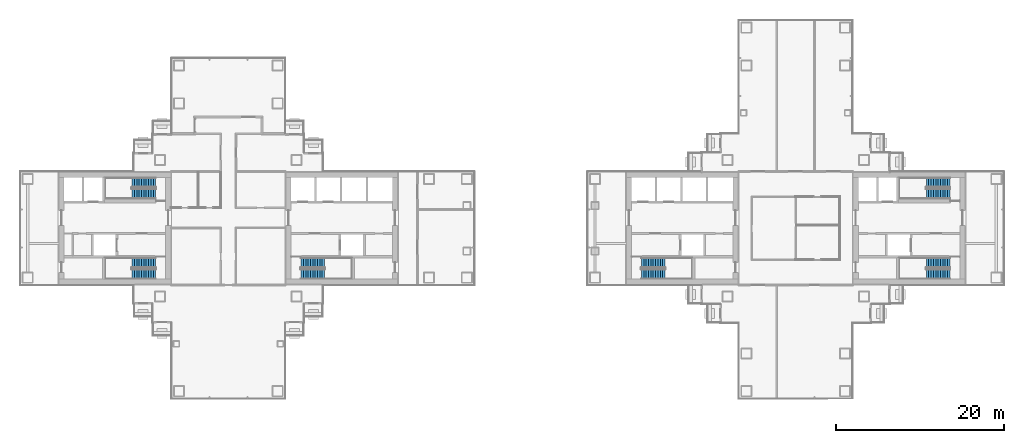
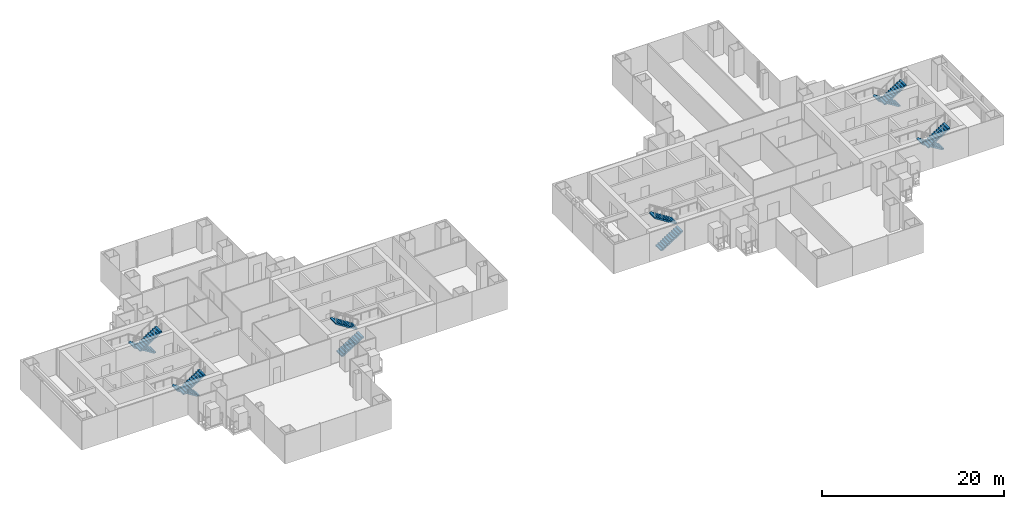
# One storey, part 17 of 20: 12 stair flights, 6 elements without a shape of their own.
"""IFC4 building model written with IfcOpenShell, lengths in metres."""

import ifcopenshell
import ifcopenshell.guid

model = None  # the IFC model being written
_history = None  # IfcOwnerHistory: only IFC2X3 demands one
_inside = {}  # id of a spatial element -> (the spatial element, [elements in it])
_under = {}  # id of a project, library or spatial element -> (it, [spatial elements below it])
_declared = {}  # id of a project -> (the project, [libraries it declares])
_typed = {}  # id of a type object -> (the type object, [elements of that type])
_made_of = {}  # id of a material, layer set ... -> (it, [elements and type objects made of it])


def new_model(schema):
    """Start an empty IFC model of exactly this schema.

    Asked for "IFC4X3", IfcOpenShell would pick the latest addendum, in which some entities
    have other attributes; the version numbers below select the first issue.
    IFC2X3 requires an IfcOwnerHistory on every rooted entity: one is made here for all.
    """
    global model, _history
    if schema == "IFC4X3":
        model = ifcopenshell.file(schema_version=(4, 3, 0, 0))
    else:
        model = ifcopenshell.file(schema=schema)
    _inside.clear()
    _under.clear()
    _declared.clear()
    _typed.clear()
    _made_of.clear()
    _history = None
    if model.schema == "IFC2X3":
        org = make("IfcOrganization", Name="unknown")
        user = make(
            "IfcPersonAndOrganization",
            ThePerson=make("IfcPerson", FamilyName="unknown"),
            TheOrganization=org,
        )
        app = make(
            "IfcApplication",
            ApplicationDeveloper=org,
            Version="unknown",
            ApplicationFullName="unknown",
            ApplicationIdentifier="unknown",
        )
        _history = make(
            "IfcOwnerHistory",
            OwningUser=user,
            OwningApplication=app,
            ChangeAction="ADDED",
            CreationDate=0,
        )
    return model


def make(cls, **values):
    """One entity of the class cls with the attributes given. An attribute that is None is left unset."""
    return model.create_entity(
        cls, **{name: value for name, value in values.items() if value is not None}
    )


def rooted(cls, **values):
    """An entity with a GlobalId (a new one), such as an element, a storey or a relation."""
    return make(cls, GlobalId=ifcopenshell.guid.new(), OwnerHistory=_history, **values)


def si_unit(unit_type, name, prefix=None):
    """IfcSIUnit, for example si_unit("LENGTHUNIT", "METRE", prefix="MILLI")."""
    return make("IfcSIUnit", UnitType=unit_type, Prefix=prefix, Name=name)


def assignment(units):
    """IfcUnitAssignment: the units of a project."""
    return None if units is None else make("IfcUnitAssignment", Units=units)


def point(xyz):
    """IfcCartesianPoint."""
    return None if xyz is None else make("IfcCartesianPoint", Coordinates=xyz)


def direction(xyz):
    """IfcDirection."""
    return None if xyz is None else make("IfcDirection", DirectionRatios=xyz)


def frame(location, z_axis=None, x_axis=None):
    """IfcAxis2Placement3D, a coordinate frame: its origin and axes. An axis left out is left unset."""
    return make(
        "IfcAxis2Placement3D",
        Location=point(location),
        Axis=direction(z_axis),
        RefDirection=direction(x_axis),
    )


def origin():
    """The frame at (0, 0, 0) with its axes left unset."""
    return frame((0.0, 0.0, 0.0))


def place(relative_to, where):
    """IfcLocalPlacement: puts the frame where relative to a parent placement (None: the world)."""
    return make(
        "IfcLocalPlacement", PlacementRelTo=relative_to, RelativePlacement=where
    )


def context(
    kind, dimensions, precision=None, world=None, true_north=None, identifier=None
):
    """IfcGeometricRepresentationContext, for example the 3D "Model" context."""
    return make(
        "IfcGeometricRepresentationContext",
        ContextIdentifier=identifier,
        ContextType=kind,
        CoordinateSpaceDimension=dimensions,
        Precision=precision,
        WorldCoordinateSystem=world,
        TrueNorth=true_north,
    )


def subcontext(parent, identifier, kind, view, scale=None):
    """IfcGeometricRepresentationSubContext, for example "Body" below "Model"."""
    return make(
        "IfcGeometricRepresentationSubContext",
        ContextIdentifier=identifier,
        ContextType=kind,
        ParentContext=parent,
        TargetScale=scale,
        TargetView=view,
    )


def project(units=None, contexts=None):
    """IfcProject with its units and contexts."""
    return rooted(
        "IfcProject",
        Name="project",
        RepresentationContexts=contexts,
        UnitsInContext=assignment(units),
    )


def spatial(cls, under=None, at=None, **own):
    """A site, building, storey or space (cls), placed at a placement, below another one or the project."""
    s = rooted(cls, ObjectPlacement=at, **own)
    if under is not None:
        _under.setdefault(under.id(), (under, []))[1].append(s)
    return s


def polyline(points):
    """IfcPolyline through the points."""
    return make("IfcPolyline", Points=[point(p) for p in points])


def outline(outer, holes=None, kind="AREA"):
    """IfcArbitraryClosedProfileDef: a profile drawn as a closed curve; with holes, ...WithVoids."""
    if holes is None:
        return make("IfcArbitraryClosedProfileDef", ProfileType=kind, OuterCurve=outer)
    return make(
        "IfcArbitraryProfileDefWithVoids",
        ProfileType=kind,
        OuterCurve=outer,
        InnerCurves=holes,
    )


def extrude(swept, where, along, depth):
    """IfcExtrudedAreaSolid: the profile swept, set in the frame where, extruded along a direction by depth."""
    return make(
        "IfcExtrudedAreaSolid",
        SweptArea=swept,
        Position=where,
        ExtrudedDirection=direction(along),
        Depth=depth,
    )


def shape(context_of_items, identifier, shape_type, items):
    """IfcShapeRepresentation: the items that make up one representation, for example the "Body"."""
    return make(
        "IfcShapeRepresentation",
        ContextOfItems=context_of_items,
        RepresentationIdentifier=identifier,
        RepresentationType=shape_type,
        Items=items,
    )


def material(Name=None, Category=None):
    """IfcMaterial."""
    return make("IfcMaterial", Name=Name, Category=Category)


def made_of(thing, what):
    """Note that an element or type object is made of a material, layer set ...; save() writes the relation."""
    if what is not None:
        _made_of.setdefault(what.id(), (what, []))[1].append(thing)
    return thing


def type_object(cls, material=None, **own):
    """A type object (cls), such as IfcWallType, which elements share."""
    return made_of(rooted(cls, **own), material)


def element(
    cls,
    number,
    at=None,
    inside=None,
    cuts=None,
    type_object=None,
    material=None,
    context=None,
    identifier="Body",
    shape_type=None,
    held_by="IfcProductDefinitionShape",
    body=None,
    shapes=None,
    **own,
):
    """One element of the class cls, such as IfcWall. Its Tag is "e" and its number.

    at: its placement. inside: the storey or other place that contains it. cuts: it is an
    opening in that element (IfcRelVoidsElement). A single representation is given by context,
    identifier, shape_type and body (its items); several are given by shapes. held_by: the class
    of the entity that holds the representations. save() writes the other relations.
    """
    e = rooted(cls, Tag="e%d" % number, ObjectPlacement=at, **own)
    if body is not None:
        shapes = [shape(context, identifier, shape_type, body)]
    if shapes is not None:
        e.Representation = make(held_by, Representations=shapes)
    if inside is not None:
        _inside.setdefault(inside.id(), (inside, []))[1].append(e)
    if cuts is not None:
        rooted(
            "IfcRelVoidsElement", RelatingBuildingElement=cuts, RelatedOpeningElement=e
        )
    if type_object is not None:
        _typed.setdefault(type_object.id(), (type_object, []))[1].append(e)
    return made_of(e, material)


def aggregate(whole, parts):
    """IfcRelAggregates: a whole, such as a stair, and the parts it consists of."""
    return rooted("IfcRelAggregates", RelatingObject=whole, RelatedObjects=parts)


def save(model, path):
    """Write the relations noted so far, then the file.

    IfcRelAggregates (storeys below a building ...), IfcRelContainedInSpatialStructure (elements
    in a storey), IfcRelDefinesByType, IfcRelAssociatesMaterial and IfcRelDeclares: one each for
    every whole, place, type object, material and project.
    """
    for whole, parts in _under.values():
        aggregate(whole, parts)
    for where, things in _inside.values():
        rooted(
            "IfcRelContainedInSpatialStructure",
            RelatedElements=things,
            RelatingStructure=where,
        )
    for kind, things in _typed.values():
        rooted("IfcRelDefinesByType", RelatedObjects=things, RelatingType=kind)
    for what, things in _made_of.values():
        rooted("IfcRelAssociatesMaterial", RelatedObjects=things, RelatingMaterial=what)
    for by, libraries in _declared.values():
        rooted("IfcRelDeclares", RelatingContext=by, RelatedDefinitions=libraries)
    model.write(path)


model = new_model("IFC4")

# Units and contexts
model_context = context("Model", 3, precision=1e-05, world=origin(), true_north=direction((0.0, 1.0)))
body_context = subcontext(model_context, "Body", "Model", "MODEL_VIEW")
ifc_project = project(units=[si_unit("LENGTHUNIT", "METRE"), si_unit("AREAUNIT", "SQUARE_METRE"), si_unit("VOLUMEUNIT", "CUBIC_METRE"), si_unit("PLANEANGLEUNIT", "RADIAN"), si_unit("MASSUNIT", "GRAM", prefix="KILO")], contexts=[model_context])

# Site, building, storey
site_placement = place(None, origin())
site = spatial("IfcSite", under=ifc_project, at=site_placement, CompositionType="ELEMENT")
building_placement = place(site_placement, origin())
building = spatial("IfcBuilding", under=site, at=building_placement, Name="Shamsa Quay Exchange Towers", CompositionType="ELEMENT")
storey_placement = place(building_placement, frame((0.0, 0.0, 120.89990234375)))
storey = spatial("IfcBuildingStorey", under=building, at=storey_placement, Name="L28", CompositionType="ELEMENT", Elevation=120.89990234375)

# Stair, stair flights
ifc_material = material(Name="Concrete C40/50", Category="concrete")
stair_type = type_object("IfcStairType", Name="EXIT STAIR 22 RISERS 177 MM", PredefinedType="HALF_TURN_STAIR", material=ifc_material)
stair_1_placement = place(storey_placement, origin())
stair_1 = element("IfcStair", 1, at=stair_1_placement, inside=storey, type_object=stair_type, Name="L28 Exit stair ST1", PredefinedType="HALF_TURN_STAIR")
stair_flight_type = type_object("IfcStairFlightType", Name="EXIT STAIR FLIGHT 11 RISERS 177 MM", PredefinedType="STRAIGHT", material=ifc_material)
stair_flight_1_placement = place(storey_placement, frame((-25.10009765625, -5.449951171875, 0.0)))
stair_flight_1 = element("IfcStairFlight", 2, at=stair_flight_1_placement, type_object=stair_flight_type, Name="ST1 flight 1", NumberOfRisers=11, NumberOfTreads=10, PredefinedType="STRAIGHT", RiserHeight=0.177272727, TreadLength=0.28, context=body_context, shape_type="SweptSolid", body=[
    extrude(outline(polyline([(0.0, 0.0), (0.0, 0.17724609375), (0.280029296875, 0.17724609375), (0.280029296875, 0.3544921875), (0.56005859375, 0.3544921875), (0.56005859375, 0.53173828125), (0.840087890625, 0.53173828125), (0.840087890625, 0.708984375), (1.1201171875, 0.708984375), (1.1201171875, 0.886474609375), (1.39990234375, 0.886474609375), (1.39990234375, 1.063720703125), (1.679931640625, 1.063720703125), (1.679931640625, 1.240966796875), (1.9599609375, 1.240966796875), (1.9599609375, 1.418212890625), (2.239990234375, 1.418212890625), (2.239990234375, 1.595458984375), (2.52001953125, 1.595458984375), (2.52001953125, 1.772705078125), (2.800048828125, 1.772705078125), (2.800048828125, 1.949951171875), (2.800048828125, 1.607177734375), (0.261474609375, 0.0), (0.0, 0.0)])), frame((0.0, 0.60009765625, 0.0), z_axis=(0.0, -1.0, 0.0), x_axis=(1.0, 0.0, 0.0)), (0.0, 0.0, 1.0), 1.199951171875),
])
stair_flight_2_placement = place(storey_placement, frame((-22.300048828125, -4.10009765625, 1.9501953125), z_axis=(0.0, 0.0, 1.0), x_axis=(-1.0, 0.0, 0.0)))
stair_flight_2 = element("IfcStairFlight", 3, at=stair_flight_2_placement, type_object=stair_flight_type, Name="ST1 flight 2", NumberOfRisers=11, NumberOfTreads=10, PredefinedType="STRAIGHT", RiserHeight=0.177272727, TreadLength=0.28, context=body_context, shape_type="SweptSolid", body=[
    extrude(outline(polyline([(0.0, 0.0), (0.0, 0.17724609375), (0.280029296875, 0.17724609375), (0.280029296875, 0.3544921875), (0.56005859375, 0.3544921875), (0.56005859375, 0.53173828125), (0.840087890625, 0.53173828125), (0.840087890625, 0.708984375), (1.1201171875, 0.708984375), (1.1201171875, 0.886474609375), (1.39990234375, 0.886474609375), (1.39990234375, 1.063720703125), (1.679931640625, 1.063720703125), (1.679931640625, 1.240966796875), (1.9599609375, 1.240966796875), (1.9599609375, 1.418212890625), (2.239990234375, 1.418212890625), (2.239990234375, 1.595458984375), (2.52001953125, 1.595458984375), (2.52001953125, 1.772705078125), (2.800048828125, 1.772705078125), (2.800048828125, 1.949951171875), (2.800048828125, 1.607177734375), (0.261474609375, 0.0), (0.0, 0.0)])), frame((0.0, 0.60009765625, 0.0), z_axis=(0.0, -1.0, 0.0), x_axis=(1.0, 0.0, 0.0)), (0.0, 0.0, 1.0), 1.199951171875),
])
aggregate(stair_1, [stair_flight_1, stair_flight_2])

stair_2_placement = place(storey_placement, origin())
stair_2 = element("IfcStair", 4, at=stair_2_placement, inside=storey, type_object=stair_type, Name="L28 Exit stair ST2", PredefinedType="HALF_TURN_STAIR")
stair_flight_3_placement = place(storey_placement, frame((-42.39990234375, -4.10009765625, 0.0), z_axis=(0.0, 0.0, 1.0), x_axis=(-1.0, 0.0, 0.0)))
stair_flight_3 = element("IfcStairFlight", 5, at=stair_flight_3_placement, type_object=stair_flight_type, Name="ST2 flight 1", NumberOfRisers=11, NumberOfTreads=10, PredefinedType="STRAIGHT", RiserHeight=0.177272727, TreadLength=0.28, context=body_context, shape_type="SweptSolid", body=[
    extrude(outline(polyline([(0.0, 0.0), (0.0, 0.17724609375), (0.280029296875, 0.17724609375), (0.280029296875, 0.3544921875), (0.56005859375, 0.3544921875), (0.56005859375, 0.53173828125), (0.840087890625, 0.53173828125), (0.840087890625, 0.708984375), (1.1201171875, 0.708984375), (1.1201171875, 0.886474609375), (1.39990234375, 0.886474609375), (1.39990234375, 1.063720703125), (1.679931640625, 1.063720703125), (1.679931640625, 1.240966796875), (1.9599609375, 1.240966796875), (1.9599609375, 1.418212890625), (2.239990234375, 1.418212890625), (2.239990234375, 1.595458984375), (2.52001953125, 1.595458984375), (2.52001953125, 1.772705078125), (2.800048828125, 1.772705078125), (2.800048828125, 1.949951171875), (2.800048828125, 1.607177734375), (0.261474609375, 0.0), (0.0, 0.0)])), frame((0.0, 0.60009765625, 0.0), z_axis=(0.0, -1.0, 0.0), x_axis=(1.0, 0.0, 0.0)), (0.0, 0.0, 1.0), 1.199951171875),
])
stair_flight_4_placement = place(storey_placement, frame((-45.199951171875, -5.449951171875, 1.9501953125)))
stair_flight_4 = element("IfcStairFlight", 6, at=stair_flight_4_placement, type_object=stair_flight_type, Name="ST2 flight 2", NumberOfRisers=11, NumberOfTreads=10, PredefinedType="STRAIGHT", RiserHeight=0.177272727, TreadLength=0.28, context=body_context, shape_type="SweptSolid", body=[
    extrude(outline(polyline([(0.0, 0.0), (0.0, 0.17724609375), (0.280029296875, 0.17724609375), (0.280029296875, 0.3544921875), (0.56005859375, 0.3544921875), (0.56005859375, 0.53173828125), (0.840087890625, 0.53173828125), (0.840087890625, 0.708984375), (1.1201171875, 0.708984375), (1.1201171875, 0.886474609375), (1.39990234375, 0.886474609375), (1.39990234375, 1.063720703125), (1.679931640625, 1.063720703125), (1.679931640625, 1.240966796875), (1.9599609375, 1.240966796875), (1.9599609375, 1.418212890625), (2.239990234375, 1.418212890625), (2.239990234375, 1.595458984375), (2.52001953125, 1.595458984375), (2.52001953125, 1.772705078125), (2.800048828125, 1.772705078125), (2.800048828125, 1.949951171875), (2.800048828125, 1.607177734375), (0.261474609375, 0.0), (0.0, 0.0)])), frame((0.0, 0.60009765625, 0.0), z_axis=(0.0, -1.0, 0.0), x_axis=(1.0, 0.0, 0.0)), (0.0, 0.0, 1.0), 1.199951171875),
])
aggregate(stair_2, [stair_flight_3, stair_flight_4])

stair_3_placement = place(storey_placement, origin())
stair_3 = element("IfcStair", 7, at=stair_3_placement, inside=storey, type_object=stair_type, Name="L28 Exit stair ST3", PredefinedType="HALF_TURN_STAIR")
stair_flight_5_placement = place(storey_placement, frame((-42.39990234375, 5.449951171875, 0.0), z_axis=(0.0, 0.0, 1.0), x_axis=(-1.0, 0.0, 0.0)))
stair_flight_5 = element("IfcStairFlight", 8, at=stair_flight_5_placement, type_object=stair_flight_type, Name="ST3 flight 1", NumberOfRisers=11, NumberOfTreads=10, PredefinedType="STRAIGHT", RiserHeight=0.177272727, TreadLength=0.28, context=body_context, shape_type="SweptSolid", body=[
    extrude(outline(polyline([(0.0, 0.0), (0.0, 0.17724609375), (0.280029296875, 0.17724609375), (0.280029296875, 0.3544921875), (0.56005859375, 0.3544921875), (0.56005859375, 0.53173828125), (0.840087890625, 0.53173828125), (0.840087890625, 0.708984375), (1.1201171875, 0.708984375), (1.1201171875, 0.886474609375), (1.39990234375, 0.886474609375), (1.39990234375, 1.063720703125), (1.679931640625, 1.063720703125), (1.679931640625, 1.240966796875), (1.9599609375, 1.240966796875), (1.9599609375, 1.418212890625), (2.239990234375, 1.418212890625), (2.239990234375, 1.595458984375), (2.52001953125, 1.595458984375), (2.52001953125, 1.772705078125), (2.800048828125, 1.772705078125), (2.800048828125, 1.949951171875), (2.800048828125, 1.607177734375), (0.261474609375, 0.0), (0.0, 0.0)])), frame((0.0, 0.60009765625, 0.0), z_axis=(0.0, -1.0, 0.0), x_axis=(1.0, 0.0, 0.0)), (0.0, 0.0, 1.0), 1.199951171875),
])
stair_flight_6_placement = place(storey_placement, frame((-45.199951171875, 4.10009765625, 1.9501953125)))
stair_flight_6 = element("IfcStairFlight", 9, at=stair_flight_6_placement, type_object=stair_flight_type, Name="ST3 flight 2", NumberOfRisers=11, NumberOfTreads=10, PredefinedType="STRAIGHT", RiserHeight=0.177272727, TreadLength=0.28, context=body_context, shape_type="SweptSolid", body=[
    extrude(outline(polyline([(0.0, 0.0), (0.0, 0.17724609375), (0.280029296875, 0.17724609375), (0.280029296875, 0.3544921875), (0.56005859375, 0.3544921875), (0.56005859375, 0.53173828125), (0.840087890625, 0.53173828125), (0.840087890625, 0.708984375), (1.1201171875, 0.708984375), (1.1201171875, 0.886474609375), (1.39990234375, 0.886474609375), (1.39990234375, 1.063720703125), (1.679931640625, 1.063720703125), (1.679931640625, 1.240966796875), (1.9599609375, 1.240966796875), (1.9599609375, 1.418212890625), (2.239990234375, 1.418212890625), (2.239990234375, 1.595458984375), (2.52001953125, 1.595458984375), (2.52001953125, 1.772705078125), (2.800048828125, 1.772705078125), (2.800048828125, 1.949951171875), (2.800048828125, 1.607177734375), (0.261474609375, 0.0), (0.0, 0.0)])), frame((0.0, 0.60009765625, 0.0), z_axis=(0.0, -1.0, 0.0), x_axis=(1.0, 0.0, 0.0)), (0.0, 0.0, 1.0), 1.199951171875),
])
aggregate(stair_3, [stair_flight_5, stair_flight_6])

stair_4_placement = place(storey_placement, origin())
stair_4 = element("IfcStair", 10, at=stair_4_placement, inside=storey, type_object=stair_type, Name="L28 Exit stair ST4", PredefinedType="HALF_TURN_STAIR")
stair_flight_7_placement = place(storey_placement, frame((15.39990234375, -5.449951171875, 0.0)))
stair_flight_7 = element("IfcStairFlight", 11, at=stair_flight_7_placement, type_object=stair_flight_type, Name="ST4 flight 1", NumberOfRisers=11, NumberOfTreads=10, PredefinedType="STRAIGHT", RiserHeight=0.177272727, TreadLength=0.28, context=body_context, shape_type="SweptSolid", body=[
    extrude(outline(polyline([(0.0, 0.0), (0.0, 0.17724609375), (0.280029296875, 0.17724609375), (0.280029296875, 0.3544921875), (0.56005859375, 0.3544921875), (0.56005859375, 0.53173828125), (0.840087890625, 0.53173828125), (0.840087890625, 0.708984375), (1.1201171875, 0.708984375), (1.1201171875, 0.886474609375), (1.39990234375, 0.886474609375), (1.39990234375, 1.063720703125), (1.679931640625, 1.063720703125), (1.679931640625, 1.240966796875), (1.9599609375, 1.240966796875), (1.9599609375, 1.418212890625), (2.239990234375, 1.418212890625), (2.239990234375, 1.595458984375), (2.52001953125, 1.595458984375), (2.52001953125, 1.772705078125), (2.800048828125, 1.772705078125), (2.800048828125, 1.949951171875), (2.800048828125, 1.607177734375), (0.261474609375, 0.0), (0.0, 0.0)])), frame((0.0, 0.60009765625, 0.0), z_axis=(0.0, -1.0, 0.0), x_axis=(1.0, 0.0, 0.0)), (0.0, 0.0, 1.0), 1.199951171875),
])
stair_flight_8_placement = place(storey_placement, frame((18.199951171875, -4.10009765625, 1.9501953125), z_axis=(0.0, 0.0, 1.0), x_axis=(-1.0, 0.0, 0.0)))
stair_flight_8 = element("IfcStairFlight", 12, at=stair_flight_8_placement, type_object=stair_flight_type, Name="ST4 flight 2", NumberOfRisers=11, NumberOfTreads=10, PredefinedType="STRAIGHT", RiserHeight=0.177272727, TreadLength=0.28, context=body_context, shape_type="SweptSolid", body=[
    extrude(outline(polyline([(0.0, 0.0), (0.0, 0.17724609375), (0.280029296875, 0.17724609375), (0.280029296875, 0.3544921875), (0.56005859375, 0.3544921875), (0.56005859375, 0.53173828125), (0.840087890625, 0.53173828125), (0.840087890625, 0.708984375), (1.1201171875, 0.708984375), (1.1201171875, 0.886474609375), (1.39990234375, 0.886474609375), (1.39990234375, 1.063720703125), (1.679931640625, 1.063720703125), (1.679931640625, 1.240966796875), (1.9599609375, 1.240966796875), (1.9599609375, 1.418212890625), (2.239990234375, 1.418212890625), (2.239990234375, 1.595458984375), (2.52001953125, 1.595458984375), (2.52001953125, 1.772705078125), (2.800048828125, 1.772705078125), (2.800048828125, 1.949951171875), (2.800048828125, 1.607177734375), (0.261474609375, 0.0), (0.0, 0.0)])), frame((0.0, 0.60009765625, 0.0), z_axis=(0.0, -1.0, 0.0), x_axis=(1.0, 0.0, 0.0)), (0.0, 0.0, 1.0), 1.199951171875),
])
aggregate(stair_4, [stair_flight_7, stair_flight_8])

stair_5_placement = place(storey_placement, origin())
stair_5 = element("IfcStair", 13, at=stair_5_placement, inside=storey, type_object=stair_type, Name="L28 Exit stair ST5", PredefinedType="HALF_TURN_STAIR")
stair_flight_9_placement = place(storey_placement, frame((52.10009765625, -4.10009765625, 0.0), z_axis=(0.0, 0.0, 1.0), x_axis=(-1.0, 0.0, 0.0)))
stair_flight_9 = element("IfcStairFlight", 14, at=stair_flight_9_placement, type_object=stair_flight_type, Name="ST5 flight 1", NumberOfRisers=11, NumberOfTreads=10, PredefinedType="STRAIGHT", RiserHeight=0.177272727, TreadLength=0.28, context=body_context, shape_type="SweptSolid", body=[
    extrude(outline(polyline([(0.0, 0.0), (0.0, 0.17724609375), (0.280029296875, 0.17724609375), (0.280029296875, 0.3544921875), (0.56005859375, 0.3544921875), (0.56005859375, 0.53173828125), (0.840087890625, 0.53173828125), (0.840087890625, 0.708984375), (1.1201171875, 0.708984375), (1.1201171875, 0.886474609375), (1.39990234375, 0.886474609375), (1.39990234375, 1.063720703125), (1.679931640625, 1.063720703125), (1.679931640625, 1.240966796875), (1.9599609375, 1.240966796875), (1.9599609375, 1.418212890625), (2.239990234375, 1.418212890625), (2.239990234375, 1.595458984375), (2.52001953125, 1.595458984375), (2.52001953125, 1.772705078125), (2.800048828125, 1.772705078125), (2.800048828125, 1.949951171875), (2.800048828125, 1.607177734375), (0.261474609375, 0.0), (0.0, 0.0)])), frame((0.0, 0.60009765625, 0.0), z_axis=(0.0, -1.0, 0.0), x_axis=(1.0, 0.0, 0.0)), (0.0, 0.0, 1.0), 1.199951171875),
])
stair_flight_10_placement = place(storey_placement, frame((49.300048828125, -5.449951171875, 1.9501953125)))
stair_flight_10 = element("IfcStairFlight", 15, at=stair_flight_10_placement, type_object=stair_flight_type, Name="ST5 flight 2", NumberOfRisers=11, NumberOfTreads=10, PredefinedType="STRAIGHT", RiserHeight=0.177272727, TreadLength=0.28, context=body_context, shape_type="SweptSolid", body=[
    extrude(outline(polyline([(0.0, 0.0), (0.0, 0.17724609375), (0.280029296875, 0.17724609375), (0.280029296875, 0.3544921875), (0.56005859375, 0.3544921875), (0.56005859375, 0.53173828125), (0.840087890625, 0.53173828125), (0.840087890625, 0.708984375), (1.1201171875, 0.708984375), (1.1201171875, 0.886474609375), (1.39990234375, 0.886474609375), (1.39990234375, 1.063720703125), (1.679931640625, 1.063720703125), (1.679931640625, 1.240966796875), (1.9599609375, 1.240966796875), (1.9599609375, 1.418212890625), (2.239990234375, 1.418212890625), (2.239990234375, 1.595458984375), (2.52001953125, 1.595458984375), (2.52001953125, 1.772705078125), (2.800048828125, 1.772705078125), (2.800048828125, 1.949951171875), (2.800048828125, 1.607177734375), (0.261474609375, 0.0), (0.0, 0.0)])), frame((0.0, 0.60009765625, 0.0), z_axis=(0.0, -1.0, 0.0), x_axis=(1.0, 0.0, 0.0)), (0.0, 0.0, 1.0), 1.199951171875),
])
aggregate(stair_5, [stair_flight_9, stair_flight_10])

stair_6_placement = place(storey_placement, origin())
stair_6 = element("IfcStair", 16, at=stair_6_placement, inside=storey, type_object=stair_type, Name="L28 Exit stair ST6", PredefinedType="HALF_TURN_STAIR")
stair_flight_11_placement = place(storey_placement, frame((52.10009765625, 5.449951171875, 0.0), z_axis=(0.0, 0.0, 1.0), x_axis=(-1.0, 0.0, 0.0)))
stair_flight_11 = element("IfcStairFlight", 17, at=stair_flight_11_placement, type_object=stair_flight_type, Name="ST6 flight 1", NumberOfRisers=11, NumberOfTreads=10, PredefinedType="STRAIGHT", RiserHeight=0.177272727, TreadLength=0.28, context=body_context, shape_type="SweptSolid", body=[
    extrude(outline(polyline([(0.0, 0.0), (0.0, 0.17724609375), (0.280029296875, 0.17724609375), (0.280029296875, 0.3544921875), (0.56005859375, 0.3544921875), (0.56005859375, 0.53173828125), (0.840087890625, 0.53173828125), (0.840087890625, 0.708984375), (1.1201171875, 0.708984375), (1.1201171875, 0.886474609375), (1.39990234375, 0.886474609375), (1.39990234375, 1.063720703125), (1.679931640625, 1.063720703125), (1.679931640625, 1.240966796875), (1.9599609375, 1.240966796875), (1.9599609375, 1.418212890625), (2.239990234375, 1.418212890625), (2.239990234375, 1.595458984375), (2.52001953125, 1.595458984375), (2.52001953125, 1.772705078125), (2.800048828125, 1.772705078125), (2.800048828125, 1.949951171875), (2.800048828125, 1.607177734375), (0.261474609375, 0.0), (0.0, 0.0)])), frame((0.0, 0.60009765625, 0.0), z_axis=(0.0, -1.0, 0.0), x_axis=(1.0, 0.0, 0.0)), (0.0, 0.0, 1.0), 1.199951171875),
])
stair_flight_12_placement = place(storey_placement, frame((49.300048828125, 4.10009765625, 1.9501953125)))
stair_flight_12 = element("IfcStairFlight", 18, at=stair_flight_12_placement, type_object=stair_flight_type, Name="ST6 flight 2", NumberOfRisers=11, NumberOfTreads=10, PredefinedType="STRAIGHT", RiserHeight=0.177272727, TreadLength=0.28, context=body_context, shape_type="SweptSolid", body=[
    extrude(outline(polyline([(0.0, 0.0), (0.0, 0.17724609375), (0.280029296875, 0.17724609375), (0.280029296875, 0.3544921875), (0.56005859375, 0.3544921875), (0.56005859375, 0.53173828125), (0.840087890625, 0.53173828125), (0.840087890625, 0.708984375), (1.1201171875, 0.708984375), (1.1201171875, 0.886474609375), (1.39990234375, 0.886474609375), (1.39990234375, 1.063720703125), (1.679931640625, 1.063720703125), (1.679931640625, 1.240966796875), (1.9599609375, 1.240966796875), (1.9599609375, 1.418212890625), (2.239990234375, 1.418212890625), (2.239990234375, 1.595458984375), (2.52001953125, 1.595458984375), (2.52001953125, 1.772705078125), (2.800048828125, 1.772705078125), (2.800048828125, 1.949951171875), (2.800048828125, 1.607177734375), (0.261474609375, 0.0), (0.0, 0.0)])), frame((0.0, 0.60009765625, 0.0), z_axis=(0.0, -1.0, 0.0), x_axis=(1.0, 0.0, 0.0)), (0.0, 0.0, 1.0), 1.199951171875),
])
aggregate(stair_6, [stair_flight_11, stair_flight_12])

save(model, "model.ifc")
